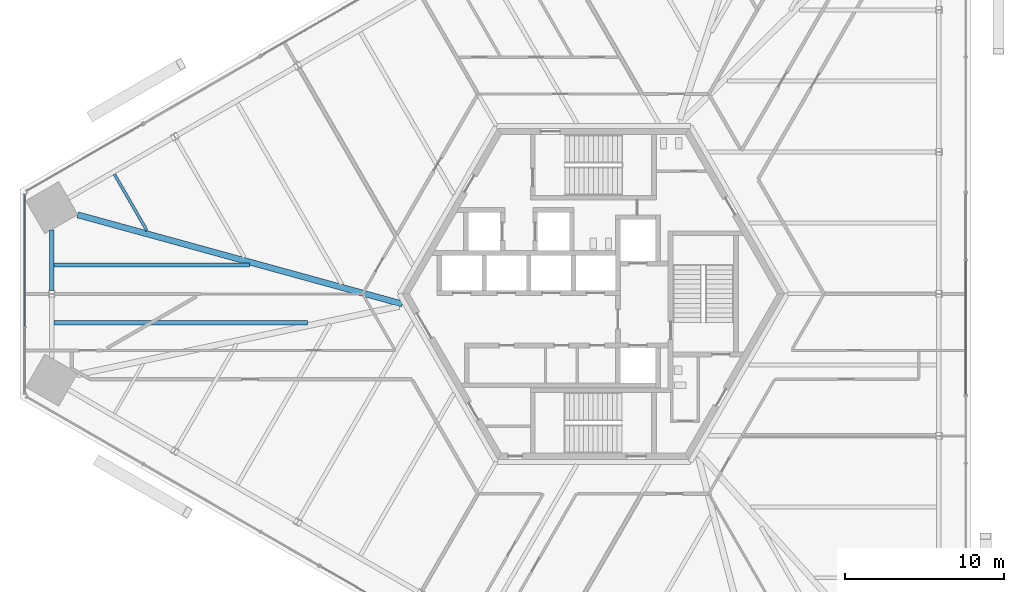
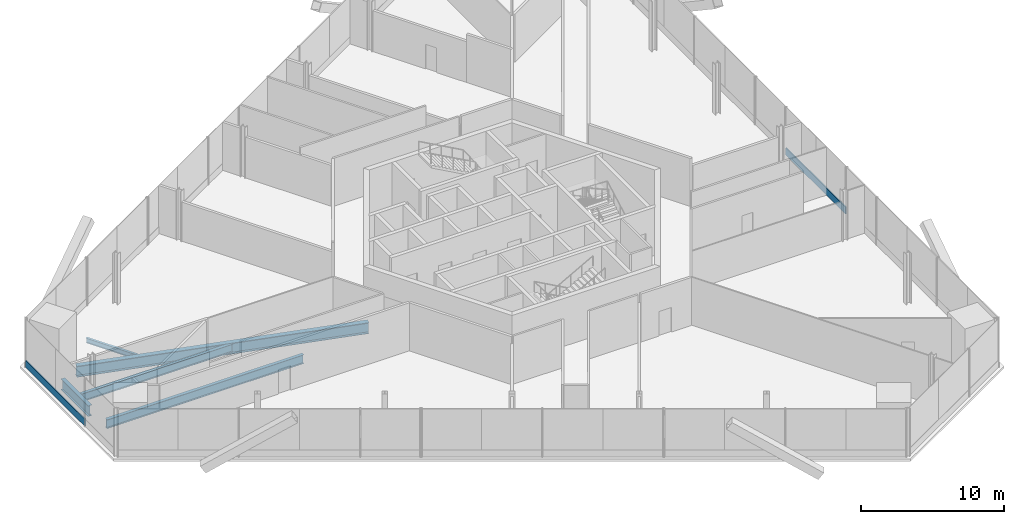
# One storey, part 5 of 16: 5 beams, 2 members, 2 elements without a shape of their own.
"""IFC4 building model written with IfcOpenShell, lengths in metres."""

from ifc_helpers import new_model, si_unit, direction, frame, origin, origin_2d, place, context, subcontext, project, spatial, rectangle, i_section, extrude, source, transform, mapped, material, material_profile, profile_set, type_object, element, aggregate, save


model = new_model("IFC4")

# Units and contexts
model_context = context("Model", 3, precision=1e-05, world=origin(), true_north=direction((0.0, 1.0)))
body_context = subcontext(model_context, "Body", "Model", "MODEL_VIEW")
ifc_project = project(units=[si_unit("LENGTHUNIT", "METRE"), si_unit("AREAUNIT", "SQUARE_METRE"), si_unit("VOLUMEUNIT", "CUBIC_METRE"), si_unit("PLANEANGLEUNIT", "RADIAN"), si_unit("MASSUNIT", "GRAM", prefix="KILO")], contexts=[model_context])

# Site, building, storey
site_placement = place(None, origin())
site = spatial("IfcSite", under=ifc_project, at=site_placement, CompositionType="ELEMENT")
building_placement = place(site_placement, origin())
building = spatial("IfcBuilding", under=site, at=building_placement, Name="Triune Harvest Tower", CompositionType="ELEMENT")
storey_placement = place(building_placement, frame((0.0, 0.0, 20.300048828125)))
storey = spatial("IfcBuildingStorey", under=building, at=storey_placement, Name="L04", CompositionType="ELEMENT", Elevation=20.300048828125)

# Beams
ifc_material_1 = material(Name="Steel ASTM A992 Gr 50", Category="steel")
ifc_material_profile_1 = material_profile(ifc_material_1, i_section(OverallWidth=0.383544921875, OverallDepth=0.9423828125, WebThickness=0.022216796875, FlangeThickness=0.039794921875, at=origin_2d()), Name="W36x232")
ifc_profile_set_1 = profile_set([ifc_material_profile_1], Name="Steel ASTM A992 Gr 50")
beam_type_1 = type_object("IfcBeamType", Name="HG-1 Hip girder W36x232", PredefinedType="BEAM", material=ifc_profile_set_1)
shared_shape_1 = source(origin(), body_context, "Body", "SweptSolid", [
    extrude(i_section(OverallWidth=0.383544921875, OverallDepth=0.9423828125, WebThickness=0.022216796875, FlangeThickness=0.039794921875, at=origin_2d()), origin(), (0.0, 0.0, 1.0), 21.13232421875),
])
beam_1_placement = place(storey_placement, frame((-32.3623046875, 4.963134765625, -0.671142578125), z_axis=(0.964269976316, -0.264921521918, 0.0), x_axis=(0.264921521918, 0.964269976316, 0.0)))
element("IfcBeam", 1, at=beam_1_placement, inside=storey, type_object=beam_type_1, Name="beam/L04/HG4", PredefinedType="BEAM", context=body_context, shape_type="MappedRepresentation", body=[
    mapped(shared_shape_1, transform((0.0, 0.0, 0.0), scale=1.0)),
])
ifc_material_2 = material(Name="Steel ASTM A992 Gr 50", Category="steel")
ifc_material_profile_2 = material_profile(ifc_material_2, i_section(OverallWidth=0.3046875, OverallDepth=0.914306640625, WebThickness=0.0166015625, FlangeThickness=0.02587890625, at=origin_2d()), Name="W36x160")
ifc_profile_set_2 = profile_set([ifc_material_profile_2], Name="Steel ASTM A992 Gr 50")
beam_type_2 = type_object("IfcBeamType", Name="SB-1 Spandrel beam W36x160", PredefinedType="SPANDREL", material=ifc_profile_set_2)
shared_shape_2 = source(origin(), body_context, "Body", "SweptSolid", [
    extrude(i_section(OverallWidth=0.3046875, OverallDepth=0.914306640625, WebThickness=0.0166015625, FlangeThickness=0.02587890625, at=origin_2d()), origin(), (0.0, 0.0, 1.0), 3.822509765625),
])
beam_2_placement = place(storey_placement, frame((-33.988525390625, 4.0244140625, -0.6572265625), z_axis=(0.0, -1.0, 0.0), x_axis=(1.0, 0.0, 0.0)))
element("IfcBeam", 2, at=beam_2_placement, inside=storey, type_object=beam_type_2, Name="beam/L04/SB15", PredefinedType="SPANDREL", context=body_context, shape_type="MappedRepresentation", body=[
    mapped(shared_shape_2, transform((0.0, 0.0, 0.0), scale=1.0)),
])
ifc_material_3 = material(Name="Steel ASTM A992 Gr 50", Category="steel")
ifc_material_profile_3 = material_profile(ifc_material_3, i_section(OverallWidth=0.180908203125, OverallDepth=0.41650390625, WebThickness=0.010986328125, FlangeThickness=0.01806640625, at=origin_2d()), Name="W16x57")
ifc_profile_set_3 = profile_set([ifc_material_profile_3], Name="Steel ASTM A992 Gr 50")
beam_type_3 = type_object("IfcBeamType", Name="JT-1 Floor joist W16x57", PredefinedType="JOIST", material=ifc_profile_set_3)
shared_shape_3 = source(origin(), body_context, "Body", "SweptSolid", [
    extrude(i_section(OverallWidth=0.180908203125, OverallDepth=0.41650390625, WebThickness=0.010986328125, FlangeThickness=0.01806640625, at=origin_2d()), origin(), (0.0, 0.0, 1.0), 4.08642578125),
])
beam_3_placement = place(storey_placement, frame((-30.05419921875, 7.505615234375, -0.408447265625), z_axis=(0.49998792433, -0.866032375563, 0.0), x_axis=(0.866032375563, 0.49998792433, 0.0)))
element("IfcBeam", 3, at=beam_3_placement, inside=storey, type_object=beam_type_3, Name="beam/L04/JT24", PredefinedType="JOIST", context=body_context, shape_type="MappedRepresentation", body=[
    mapped(shared_shape_3, transform((0.0, 0.0, 0.0), scale=1.0)),
])
ifc_material_4 = material(Name="Steel ASTM A992 Gr 50", Category="steel")
ifc_material_profile_4 = material_profile(ifc_material_4, i_section(OverallWidth=0.253662109375, OverallDepth=0.683349609375, WebThickness=0.012451171875, FlangeThickness=0.01904296875, at=origin_2d()), Name="W27x94")
ifc_profile_set_4 = profile_set([ifc_material_profile_4], Name="Steel ASTM A992 Gr 50")
beam_type_4 = type_object("IfcBeamType", Name="JT-4 Floor joist W27x94", PredefinedType="JOIST", material=ifc_profile_set_4)
shared_shape_4 = source(origin(), body_context, "Body", "SweptSolid", [
    extrude(i_section(OverallWidth=0.253662109375, OverallDepth=0.683349609375, WebThickness=0.012451171875, FlangeThickness=0.01904296875, at=origin_2d()), origin(), (0.0, 0.0, 1.0), 12.2509765625),
])
beam_4_placement = place(storey_placement, frame((-33.836181640625, 1.80322265625, -0.541748046875), z_axis=(1.0, 0.0, 0.0), x_axis=(0.0, 1.0, 0.0)))
element("IfcBeam", 4, at=beam_4_placement, inside=storey, type_object=beam_type_4, Name="beam/L04/JT25", PredefinedType="JOIST", context=body_context, shape_type="MappedRepresentation", body=[
    mapped(shared_shape_4, transform((0.0, 0.0, 0.0), scale=1.0)),
])
ifc_material_5 = material(Name="Steel ASTM A992 Gr 50", Category="steel")
ifc_material_profile_5 = material_profile(ifc_material_5, i_section(OverallWidth=0.2666015625, OverallDepth=0.7568359375, WebThickness=0.013916015625, FlangeThickness=0.019287109375, at=origin_2d()), Name="W30x108")
ifc_profile_set_5 = profile_set([ifc_material_profile_5], Name="Steel ASTM A992 Gr 50")
beam_type_5 = type_object("IfcBeamType", Name="JT-5 Floor joist W30x108", PredefinedType="JOIST", material=ifc_profile_set_5)
shared_shape_5 = source(origin(), body_context, "Body", "SweptSolid", [
    extrude(i_section(OverallWidth=0.2666015625, OverallDepth=0.7568359375, WebThickness=0.013916015625, FlangeThickness=0.019287109375, at=origin_2d()), origin(), (0.0, 0.0, 1.0), 15.90771484375),
])
beam_5_placement = place(storey_placement, frame((-33.836181640625, -1.80322265625, -0.57861328125), z_axis=(1.0, 0.0, 0.0), x_axis=(0.0, 1.0, 0.0)))
element("IfcBeam", 5, at=beam_5_placement, inside=storey, type_object=beam_type_5, Name="beam/L04/JT26", PredefinedType="JOIST", context=body_context, shape_type="MappedRepresentation", body=[
    mapped(shared_shape_5, transform((0.0, 0.0, 0.0), scale=1.0)),
])

# Curtain wall, member
ifc_material_6 = material(Name="Aluminium bronze anodised", Category="aluminium")
curtain_wall_type = type_object("IfcCurtainWallType", Name="CW-3 Farm floor curtain wall", PredefinedType="NOTDEFINED", material=ifc_material_6)
curtain_wall_1_placement = place(storey_placement, origin())
curtain_wall_1 = element("IfcCurtainWall", 6, at=curtain_wall_1_placement, inside=storey, type_object=curtain_wall_type, Name="CW-3 B1-F4 L04 run 1")
ifc_material_7 = material(Name="Aluminium bronze anodised", Category="aluminium")
ifc_material_profile_6 = material_profile(ifc_material_7, rectangle(XDim=0.090087890625, YDim=0.60009765625, at=origin_2d()), Name="TR-3 transom 90 x 600")
ifc_profile_set_6 = profile_set([ifc_material_profile_6], Name="Aluminium bronze anodised")
member_type = type_object("IfcMemberType", Name="TR-3 transom 90 x 600", PredefinedType="USERDEFINED", material=ifc_profile_set_6)
shared_shape_6 = source(origin(), body_context, "Body", "SweptSolid", [
    extrude(rectangle(XDim=0.090087890625, YDim=0.60009765625, at=origin_2d()), origin(), (0.0, 0.0, 1.0), 8.275634765625),
])
member_1_placement = place(storey_placement, frame((-35.680419921875, 6.216796875, 0.300048828125), z_axis=(0.0, -1.0, 0.0), x_axis=(1.0, 0.0, 0.0)))
member_1 = element("IfcMember", 7, at=member_1_placement, type_object=member_type, Name="CW-3 transom B1-F4 1.1", ObjectType="TRANSOM", PredefinedType="USERDEFINED", context=body_context, shape_type="MappedRepresentation", body=[
    mapped(shared_shape_6, transform((0.0, 0.0, 0.0), scale=1.0)),
])
aggregate(curtain_wall_1, [member_1])

curtain_wall_2_placement = place(storey_placement, origin())
curtain_wall_2 = element("IfcCurtainWall", 8, at=curtain_wall_2_placement, inside=storey, type_object=curtain_wall_type, Name="CW-3 B1-F1 L04 run 1001")
shared_shape_7 = source(origin(), body_context, "Body", "SweptSolid", [
    extrude(rectangle(XDim=0.090087890625, YDim=0.60009765625, at=origin_2d()), origin(), (0.0, 0.0, 1.0), 8.377685546875),
])
member_2_placement = place(storey_placement, frame((23.371337890625, -6.293212890625, 0.300048828125), z_axis=(0.0, 1.0, 0.0), x_axis=(-1.0, 0.0, 0.0)))
member_2 = element("IfcMember", 9, at=member_2_placement, type_object=member_type, Name="CW-3 transom B1-F1 1001.1", ObjectType="TRANSOM", PredefinedType="USERDEFINED", context=body_context, shape_type="MappedRepresentation", body=[
    mapped(shared_shape_7, transform((0.0, 0.0, 0.0), scale=1.0)),
])
aggregate(curtain_wall_2, [member_2])

save(model, "model.ifc")
